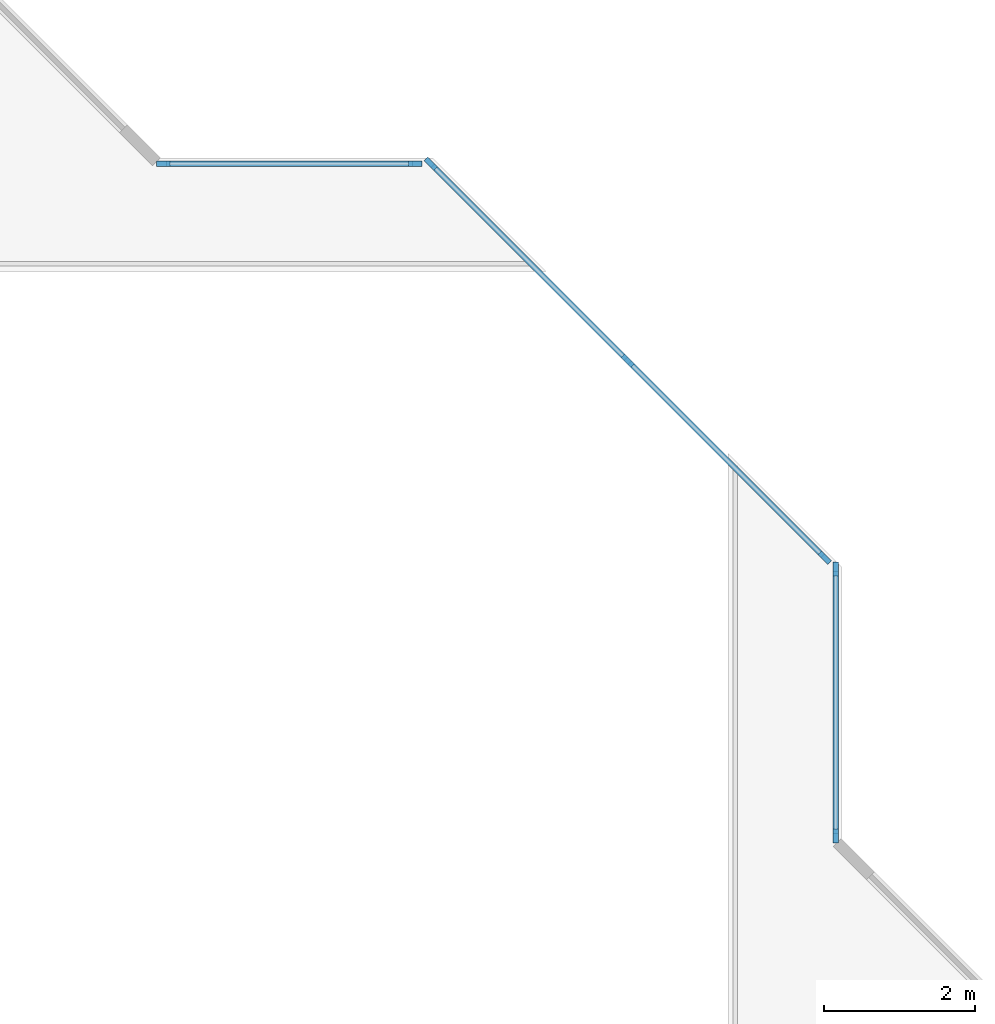
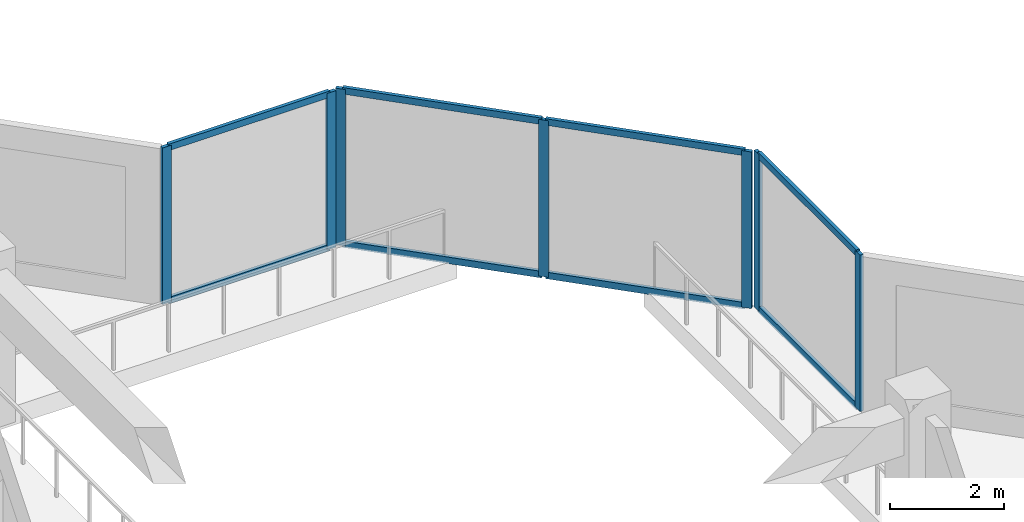
# One storey, part 2 of 14: 15 members, 3 elements without a shape of their own.
"""IFC4 building model written with IfcOpenShell, lengths in metres."""

from ifc_helpers import new_model, si_unit, direction, frame, origin, origin_2d, place, context, subcontext, project, spatial, rectangle, extrude, material, layer, layer_set, material_profile, profile_set, type_object, element, aggregate, save


model = new_model("IFC4")

# Units and contexts
model_context = context("Model", 3, precision=1e-05, world=origin(), true_north=direction((0.0, 1.0)))
body_context = subcontext(model_context, "Body", "Model", "MODEL_VIEW")
ifc_project = project(units=[si_unit("LENGTHUNIT", "METRE"), si_unit("AREAUNIT", "SQUARE_METRE"), si_unit("VOLUMEUNIT", "CUBIC_METRE"), si_unit("PLANEANGLEUNIT", "RADIAN"), si_unit("MASSUNIT", "GRAM", prefix="KILO")], contexts=[model_context])

# Site, building, storey
site_placement = place(None, origin())
site = spatial("IfcSite", under=ifc_project, at=site_placement, CompositionType="ELEMENT")
building_placement = place(site_placement, origin())
building = spatial("IfcBuilding", under=site, at=building_placement, Name="Chenar Terraces", CompositionType="ELEMENT")
storey_placement = place(building_placement, frame((0.0, 0.0, 230.39990234375)))
storey = spatial("IfcBuildingStorey", under=building, at=storey_placement, Name="L54", CompositionType="ELEMENT", Elevation=230.39990234375)

# Curtain wall, members
ifc_material_1 = material(Name="Aluminium framed glazing", Category="aluminium")
ifc_layer = layer(ifc_material_1, 0.14990234375)
ifc_layer_set = layer_set([ifc_layer], Name="Aluminium framed glazing")
curtain_wall_type = type_object("IfcCurtainWallType", Name="Atrium mid-zone curtain wall", PredefinedType="NOTDEFINED", material=ifc_layer_set)
placement = place(storey_placement, origin())
curtain_wall_1 = element("IfcCurtainWall", 1, at=placement, inside=storey, type_object=curtain_wall_type, Name="Atrium mid-zone curtain wall", PredefinedType="NOTDEFINED")
ifc_material_2 = material(Name="Aluminium", Category="aluminium")
ifc_material_profile_1 = material_profile(ifc_material_2, rectangle(XDim=0.070068359375, YDim=0.179931640625, at=origin_2d()), Name="Atrium mid-zone glazing mullion 70 x 180")
ifc_profile_set_1 = profile_set([ifc_material_profile_1], Name="Aluminium")
member_type_1 = type_object("IfcMemberType", Name="Atrium mid-zone glazing mullion 70 x 180", PredefinedType="MULLION", material=ifc_profile_set_1)
member_1_placement = place(storey_placement, frame((37.425048828125, 28.534912109375, 0.0), z_axis=(0.0, 0.0, 1.0), x_axis=(-1.0, 0.0, 0.0)))
member_1 = element("IfcMember", 2, at=member_1_placement, type_object=member_type_1, Name="CW7-1 mullion 1", PredefinedType="MULLION", context=body_context, shape_type="SweptSolid", body=[
    extrude(rectangle(XDim=0.070068359375, YDim=0.179931640625, at=origin_2d()), origin(), (0.0, 0.0, 1.0), 3.35009765625),
])
member_2_placement = place(storey_placement, frame((37.425048828125, 32.06494140625, 0.0), z_axis=(0.0, 0.0, 1.0), x_axis=(-1.0, 0.0, 0.0)))
member_2 = element("IfcMember", 3, at=member_2_placement, type_object=member_type_1, Name="CW7-1 mullion 2", PredefinedType="MULLION", context=body_context, shape_type="SweptSolid", body=[
    extrude(rectangle(XDim=0.070068359375, YDim=0.179931640625, at=origin_2d()), origin(), (0.0, 0.0, 1.0), 3.35009765625),
])

curtain_wall_2 = element("IfcCurtainWall", 4, at=placement, inside=storey, type_object=curtain_wall_type, Name="Atrium mid-zone curtain wall", PredefinedType="NOTDEFINED")
member_3_placement = place(storey_placement, frame((37.28076171875, 32.213134765625, 0.0), z_axis=(0.0, 0.0, 1.0), x_axis=(-0.707106781187, -0.707106781187, 0.0)))
member_3 = element("IfcMember", 5, at=member_3_placement, type_object=member_type_1, Name="CW7-2 mullion 1", PredefinedType="MULLION", context=body_context, shape_type="SweptSolid", body=[
    extrude(rectangle(XDim=0.070068359375, YDim=0.179931640625, at=origin_2d()), origin(), (0.0, 0.0, 1.0), 3.35009765625),
])
member_4_placement = place(storey_placement, frame((34.67626953125, 34.817626953125, 0.0), z_axis=(0.0, 0.0, 1.0), x_axis=(-0.707106781187, -0.707106781187, 0.0)))
member_4 = element("IfcMember", 6, at=member_4_placement, type_object=member_type_1, Name="CW7-2 mullion 2", PredefinedType="MULLION", context=body_context, shape_type="SweptSolid", body=[
    extrude(rectangle(XDim=0.070068359375, YDim=0.179931640625, at=origin_2d()), origin(), (0.0, 0.0, 1.0), 3.35009765625),
])
member_5_placement = place(storey_placement, frame((32.07177734375, 37.42236328125, 0.0), z_axis=(0.0, 0.0, 1.0), x_axis=(-0.707106781187, -0.707106781187, 0.0)))
member_5 = element("IfcMember", 7, at=member_5_placement, type_object=member_type_1, Name="CW7-2 mullion 3", PredefinedType="MULLION", context=body_context, shape_type="SweptSolid", body=[
    extrude(rectangle(XDim=0.070068359375, YDim=0.179931640625, at=origin_2d()), origin(), (0.0, 0.0, 1.0), 3.35009765625),
])

curtain_wall_3 = element("IfcCurtainWall", 8, at=placement, inside=storey, type_object=curtain_wall_type, Name="Atrium mid-zone curtain wall", PredefinedType="NOTDEFINED")
member_6_placement = place(storey_placement, frame((31.864990234375, 37.425048828125, 0.0), z_axis=(0.0, 0.0, 1.0), x_axis=(0.0, -1.0, 0.0)))
member_6 = element("IfcMember", 9, at=member_6_placement, type_object=member_type_1, Name="CW7-3 mullion 1", PredefinedType="MULLION", context=body_context, shape_type="SweptSolid", body=[
    extrude(rectangle(XDim=0.070068359375, YDim=0.179931640625, at=origin_2d()), origin(), (0.0, 0.0, 1.0), 3.35009765625),
])
member_7_placement = place(storey_placement, frame((28.534912109375, 37.425048828125, 0.0), z_axis=(0.0, 0.0, 1.0), x_axis=(0.0, -1.0, 0.0)))
member_7 = element("IfcMember", 10, at=member_7_placement, type_object=member_type_1, Name="CW7-3 mullion 2", PredefinedType="MULLION", context=body_context, shape_type="SweptSolid", body=[
    extrude(rectangle(XDim=0.070068359375, YDim=0.179931640625, at=origin_2d()), origin(), (0.0, 0.0, 1.0), 3.35009765625),
])

# Member
ifc_material_3 = material(Name="Aluminium", Category="aluminium")
ifc_material_profile_2 = material_profile(ifc_material_3, rectangle(XDim=0.070068359375, YDim=0.139892578125, at=origin_2d()), Name="Atrium mid-zone glazing transom 70 x 140")
ifc_profile_set_2 = profile_set([ifc_material_profile_2], Name="Aluminium")
member_type_2 = type_object("IfcMemberType", Name="Atrium mid-zone glazing transom 70 x 140", PredefinedType="USERDEFINED", material=ifc_profile_set_2)
member_8_placement = place(storey_placement, frame((37.425048828125, 28.570068359375, 0.03515625), z_axis=(0.0, 1.0, 0.0), x_axis=(-1.0, 0.0, 0.0)))
member_8 = element("IfcMember", 11, at=member_8_placement, type_object=member_type_2, Name="CW7-1 transom 1.1", ObjectType="TRANSOM", PredefinedType="USERDEFINED", context=body_context, shape_type="SweptSolid", body=[
    extrude(rectangle(XDim=0.070068359375, YDim=0.139892578125, at=origin_2d()), origin(), (0.0, 0.0, 1.0), 3.4599609375),
])

member_9_placement = place(storey_placement, frame((37.425048828125, 28.570068359375, 3.315185546875), z_axis=(0.0, 1.0, 0.0), x_axis=(-1.0, 0.0, 0.0)))
member_9 = element("IfcMember", 12, at=member_9_placement, type_object=member_type_2, Name="CW7-1 transom 1.2", ObjectType="TRANSOM", PredefinedType="USERDEFINED", context=body_context, shape_type="SweptSolid", body=[
    extrude(rectangle(XDim=0.070068359375, YDim=0.139892578125, at=origin_2d()), origin(), (0.0, 0.0, 1.0), 3.4599609375),
])

aggregate(curtain_wall_1, [member_1, member_2, member_8, member_9])

member_10_placement = place(storey_placement, frame((37.256103515625, 32.23779296875, 0.03515625), z_axis=(-0.707106781187, 0.707106781187, 0.0), x_axis=(-0.707106781187, -0.707106781187, 0.0)))
member_10 = element("IfcMember", 13, at=member_10_placement, type_object=member_type_2, Name="CW7-2 transom 1.1", ObjectType="TRANSOM", PredefinedType="USERDEFINED", context=body_context, shape_type="SweptSolid", body=[
    extrude(rectangle(XDim=0.070068359375, YDim=0.139892578125, at=origin_2d()), origin(), (0.0, 0.0, 1.0), 3.613525390625),
])

member_11_placement = place(storey_placement, frame((37.256103515625, 32.23779296875, 3.315185546875), z_axis=(-0.707106781187, 0.707106781187, 0.0), x_axis=(-0.707106781187, -0.707106781187, 0.0)))
member_11 = element("IfcMember", 14, at=member_11_placement, type_object=member_type_2, Name="CW7-2 transom 1.2", ObjectType="TRANSOM", PredefinedType="USERDEFINED", context=body_context, shape_type="SweptSolid", body=[
    extrude(rectangle(XDim=0.070068359375, YDim=0.139892578125, at=origin_2d()), origin(), (0.0, 0.0, 1.0), 3.613525390625),
])

member_12_placement = place(storey_placement, frame((34.651611328125, 34.842529296875, 0.03515625), z_axis=(-0.707140563131, 0.707072997628, 0.0), x_axis=(-0.707072997628, -0.707140563131, 0.0)))
member_12 = element("IfcMember", 15, at=member_12_placement, type_object=member_type_2, Name="CW7-2 transom 2.1", ObjectType="TRANSOM", PredefinedType="USERDEFINED", context=body_context, shape_type="SweptSolid", body=[
    extrude(rectangle(XDim=0.070068359375, YDim=0.139892578125, at=origin_2d()), origin(), (0.0, 0.0, 1.0), 3.61328125),
])

member_13_placement = place(storey_placement, frame((34.651611328125, 34.842529296875, 3.315185546875), z_axis=(-0.707140563131, 0.707072997628, 0.0), x_axis=(-0.707072997628, -0.707140563131, 0.0)))
member_13 = element("IfcMember", 16, at=member_13_placement, type_object=member_type_2, Name="CW7-2 transom 2.2", ObjectType="TRANSOM", PredefinedType="USERDEFINED", context=body_context, shape_type="SweptSolid", body=[
    extrude(rectangle(XDim=0.070068359375, YDim=0.139892578125, at=origin_2d()), origin(), (0.0, 0.0, 1.0), 3.61328125),
])

aggregate(curtain_wall_2, [member_3, member_4, member_5, member_10, member_11, member_12, member_13])

member_14_placement = place(storey_placement, frame((31.830078125, 37.425048828125, 0.03515625), z_axis=(-1.0, 0.0, 0.0), x_axis=(0.0, -1.0, 0.0)))
member_14 = element("IfcMember", 17, at=member_14_placement, type_object=member_type_2, Name="CW7-3 transom 1.1", ObjectType="TRANSOM", PredefinedType="USERDEFINED", context=body_context, shape_type="SweptSolid", body=[
    extrude(rectangle(XDim=0.070068359375, YDim=0.139892578125, at=origin_2d()), origin(), (0.0, 0.0, 1.0), 3.260009765625),
])

member_15_placement = place(storey_placement, frame((31.830078125, 37.425048828125, 3.315185546875), z_axis=(-1.0, 0.0, 0.0), x_axis=(0.0, -1.0, 0.0)))
member_15 = element("IfcMember", 18, at=member_15_placement, type_object=member_type_2, Name="CW7-3 transom 1.2", ObjectType="TRANSOM", PredefinedType="USERDEFINED", context=body_context, shape_type="SweptSolid", body=[
    extrude(rectangle(XDim=0.070068359375, YDim=0.139892578125, at=origin_2d()), origin(), (0.0, 0.0, 1.0), 3.260009765625),
])

aggregate(curtain_wall_3, [member_6, member_7, member_14, member_15])

save(model, "model.ifc")
